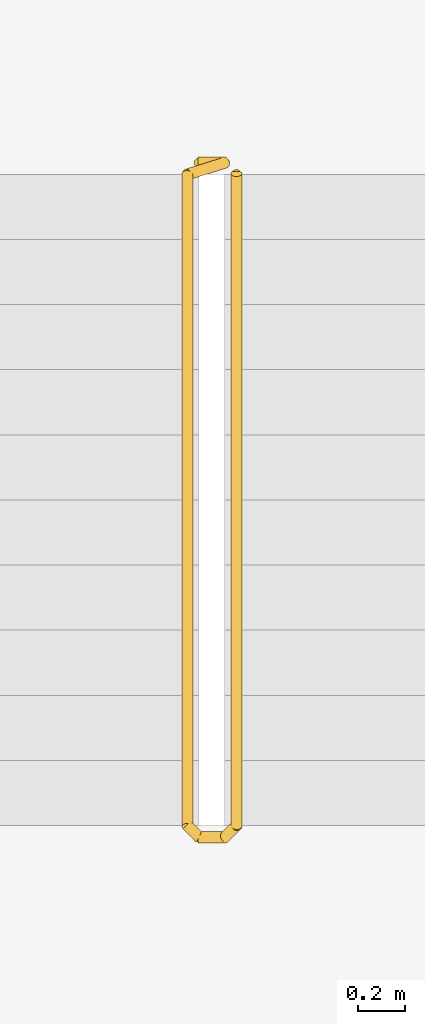
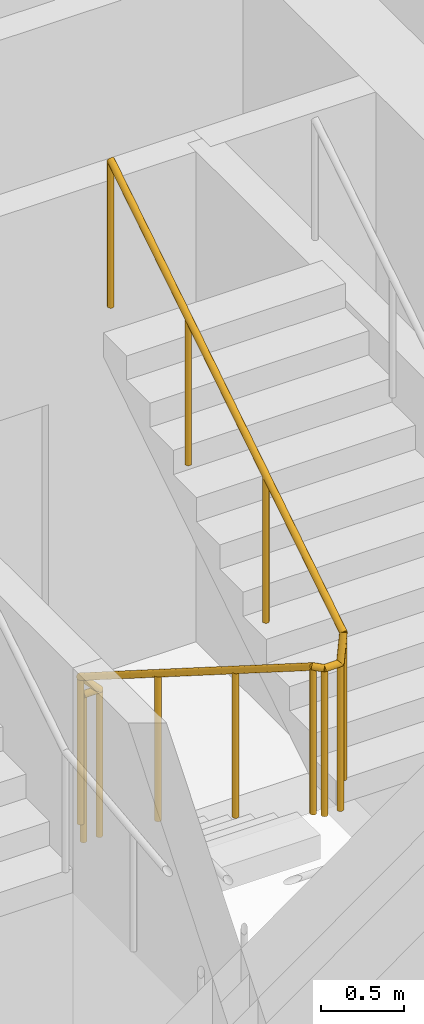
# One storey, part 14 of 14: 1 railing.
"""IFC4 building model written with IfcOpenShell, lengths in metres."""

import ifcopenshell
import ifcopenshell.guid

model = None  # the IFC model being written
_history = None  # IfcOwnerHistory: only IFC2X3 demands one
_inside = {}  # id of a spatial element -> (the spatial element, [elements in it])
_under = {}  # id of a project, library or spatial element -> (it, [spatial elements below it])
_declared = {}  # id of a project -> (the project, [libraries it declares])
_typed = {}  # id of a type object -> (the type object, [elements of that type])
_made_of = {}  # id of a material, layer set ... -> (it, [elements and type objects made of it])


def new_model(schema):
    """Start an empty IFC model of exactly this schema.

    Asked for "IFC4X3", IfcOpenShell would pick the latest addendum, in which some entities
    have other attributes; the version numbers below select the first issue.
    IFC2X3 requires an IfcOwnerHistory on every rooted entity: one is made here for all.
    """
    global model, _history
    if schema == "IFC4X3":
        model = ifcopenshell.file(schema_version=(4, 3, 0, 0))
    else:
        model = ifcopenshell.file(schema=schema)
    _inside.clear()
    _under.clear()
    _declared.clear()
    _typed.clear()
    _made_of.clear()
    _history = None
    if model.schema == "IFC2X3":
        org = make("IfcOrganization", Name="unknown")
        user = make(
            "IfcPersonAndOrganization",
            ThePerson=make("IfcPerson", FamilyName="unknown"),
            TheOrganization=org,
        )
        app = make(
            "IfcApplication",
            ApplicationDeveloper=org,
            Version="unknown",
            ApplicationFullName="unknown",
            ApplicationIdentifier="unknown",
        )
        _history = make(
            "IfcOwnerHistory",
            OwningUser=user,
            OwningApplication=app,
            ChangeAction="ADDED",
            CreationDate=0,
        )
    return model


def make(cls, **values):
    """One entity of the class cls with the attributes given. An attribute that is None is left unset."""
    return model.create_entity(
        cls, **{name: value for name, value in values.items() if value is not None}
    )


def rooted(cls, **values):
    """An entity with a GlobalId (a new one), such as an element, a storey or a relation."""
    return make(cls, GlobalId=ifcopenshell.guid.new(), OwnerHistory=_history, **values)


def si_unit(unit_type, name, prefix=None):
    """IfcSIUnit, for example si_unit("LENGTHUNIT", "METRE", prefix="MILLI")."""
    return make("IfcSIUnit", UnitType=unit_type, Prefix=prefix, Name=name)


def assignment(units):
    """IfcUnitAssignment: the units of a project."""
    return None if units is None else make("IfcUnitAssignment", Units=units)


def point(xyz):
    """IfcCartesianPoint."""
    return None if xyz is None else make("IfcCartesianPoint", Coordinates=xyz)


def direction(xyz):
    """IfcDirection."""
    return None if xyz is None else make("IfcDirection", DirectionRatios=xyz)


def frame(location, z_axis=None, x_axis=None):
    """IfcAxis2Placement3D, a coordinate frame: its origin and axes. An axis left out is left unset."""
    return make(
        "IfcAxis2Placement3D",
        Location=point(location),
        Axis=direction(z_axis),
        RefDirection=direction(x_axis),
    )


def frame_2d(location, x_axis=None):
    """IfcAxis2Placement2D, a coordinate frame in the plane: its origin and x axis."""
    return make(
        "IfcAxis2Placement2D", Location=point(location), RefDirection=direction(x_axis)
    )


def origin():
    """The frame at (0, 0, 0) with its axes left unset."""
    return frame((0.0, 0.0, 0.0))


def origin_2d():
    """The frame at (0, 0) in the plane with its x axis left unset."""
    return frame_2d((0.0, 0.0))


def place(relative_to, where):
    """IfcLocalPlacement: puts the frame where relative to a parent placement (None: the world)."""
    return make(
        "IfcLocalPlacement", PlacementRelTo=relative_to, RelativePlacement=where
    )


def context(
    kind, dimensions, precision=None, world=None, true_north=None, identifier=None
):
    """IfcGeometricRepresentationContext, for example the 3D "Model" context."""
    return make(
        "IfcGeometricRepresentationContext",
        ContextIdentifier=identifier,
        ContextType=kind,
        CoordinateSpaceDimension=dimensions,
        Precision=precision,
        WorldCoordinateSystem=world,
        TrueNorth=true_north,
    )


def subcontext(parent, identifier, kind, view, scale=None):
    """IfcGeometricRepresentationSubContext, for example "Body" below "Model"."""
    return make(
        "IfcGeometricRepresentationSubContext",
        ContextIdentifier=identifier,
        ContextType=kind,
        ParentContext=parent,
        TargetScale=scale,
        TargetView=view,
    )


def project(units=None, contexts=None):
    """IfcProject with its units and contexts."""
    return rooted(
        "IfcProject",
        Name="project",
        RepresentationContexts=contexts,
        UnitsInContext=assignment(units),
    )


def spatial(cls, under=None, at=None, **own):
    """A site, building, storey or space (cls), placed at a placement, below another one or the project."""
    s = rooted(cls, ObjectPlacement=at, **own)
    if under is not None:
        _under.setdefault(under.id(), (under, []))[1].append(s)
    return s


def profile(cls, at=None, kind="AREA", **sizes):
    """A parametric profile (cls). Its sizes go by their IFC names, for example OverallWidth=200.0."""
    return make(cls, ProfileType=kind, Position=at, **sizes)


def circle(**sizes):
    """IfcCircleProfileDef."""
    return profile("IfcCircleProfileDef", **sizes)


def extrude(swept, where, along, depth):
    """IfcExtrudedAreaSolid: the profile swept, set in the frame where, extruded along a direction by depth."""
    return make(
        "IfcExtrudedAreaSolid",
        SweptArea=swept,
        Position=where,
        ExtrudedDirection=direction(along),
        Depth=depth,
    )


def shape(context_of_items, identifier, shape_type, items):
    """IfcShapeRepresentation: the items that make up one representation, for example the "Body"."""
    return make(
        "IfcShapeRepresentation",
        ContextOfItems=context_of_items,
        RepresentationIdentifier=identifier,
        RepresentationType=shape_type,
        Items=items,
    )


def material(Name=None, Category=None):
    """IfcMaterial."""
    return make("IfcMaterial", Name=Name, Category=Category)


def made_of(thing, what):
    """Note that an element or type object is made of a material, layer set ...; save() writes the relation."""
    if what is not None:
        _made_of.setdefault(what.id(), (what, []))[1].append(thing)
    return thing


def type_object(cls, material=None, **own):
    """A type object (cls), such as IfcWallType, which elements share."""
    return made_of(rooted(cls, **own), material)


def element(
    cls,
    number,
    at=None,
    inside=None,
    cuts=None,
    type_object=None,
    material=None,
    context=None,
    identifier="Body",
    shape_type=None,
    held_by="IfcProductDefinitionShape",
    body=None,
    shapes=None,
    **own,
):
    """One element of the class cls, such as IfcWall. Its Tag is "e" and its number.

    at: its placement. inside: the storey or other place that contains it. cuts: it is an
    opening in that element (IfcRelVoidsElement). A single representation is given by context,
    identifier, shape_type and body (its items); several are given by shapes. held_by: the class
    of the entity that holds the representations. save() writes the other relations.
    """
    e = rooted(cls, Tag="e%d" % number, ObjectPlacement=at, **own)
    if body is not None:
        shapes = [shape(context, identifier, shape_type, body)]
    if shapes is not None:
        e.Representation = make(held_by, Representations=shapes)
    if inside is not None:
        _inside.setdefault(inside.id(), (inside, []))[1].append(e)
    if cuts is not None:
        rooted(
            "IfcRelVoidsElement", RelatingBuildingElement=cuts, RelatedOpeningElement=e
        )
    if type_object is not None:
        _typed.setdefault(type_object.id(), (type_object, []))[1].append(e)
    return made_of(e, material)


def aggregate(whole, parts):
    """IfcRelAggregates: a whole, such as a stair, and the parts it consists of."""
    return rooted("IfcRelAggregates", RelatingObject=whole, RelatedObjects=parts)


def save(model, path):
    """Write the relations noted so far, then the file.

    IfcRelAggregates (storeys below a building ...), IfcRelContainedInSpatialStructure (elements
    in a storey), IfcRelDefinesByType, IfcRelAssociatesMaterial and IfcRelDeclares: one each for
    every whole, place, type object, material and project.
    """
    for whole, parts in _under.values():
        aggregate(whole, parts)
    for where, things in _inside.values():
        rooted(
            "IfcRelContainedInSpatialStructure",
            RelatedElements=things,
            RelatingStructure=where,
        )
    for kind, things in _typed.values():
        rooted("IfcRelDefinesByType", RelatedObjects=things, RelatingType=kind)
    for what, things in _made_of.values():
        rooted("IfcRelAssociatesMaterial", RelatedObjects=things, RelatingMaterial=what)
    for by, libraries in _declared.values():
        rooted("IfcRelDeclares", RelatingContext=by, RelatedDefinitions=libraries)
    model.write(path)


model = new_model("IFC4")

# Units and contexts
model_context = context("Model", 3, precision=1e-05, world=origin(), true_north=direction((0.0, 1.0)))
body_context = subcontext(model_context, "Body", "Model", "MODEL_VIEW")
ifc_project = project(units=[si_unit("LENGTHUNIT", "METRE"), si_unit("AREAUNIT", "SQUARE_METRE"), si_unit("VOLUMEUNIT", "CUBIC_METRE"), si_unit("PLANEANGLEUNIT", "RADIAN"), si_unit("MASSUNIT", "GRAM", prefix="KILO")], contexts=[model_context])

# Site, building, storey
site_placement = place(None, origin())
site = spatial("IfcSite", under=ifc_project, at=site_placement, CompositionType="ELEMENT")
building_placement = place(site_placement, origin())
building = spatial("IfcBuilding", under=site, at=building_placement, Name="Tessera Arch", CompositionType="ELEMENT")
storey_placement = place(building_placement, frame((0.0, 0.0, 173.89990234375)))
storey = spatial("IfcBuildingStorey", under=building, at=storey_placement, Name="L41", CompositionType="ELEMENT", Elevation=173.89990234375)

# Railing
ifc_material = material(Name="Painted steel balustrade", Category="steel")
railing_type = type_object("IfcRailingType", Name="Stair guard 1100", PredefinedType="GUARDRAIL", material=ifc_material)
railing_placement = place(storey_placement, frame((44.919921875, 43.6298828125, 0.0)))
element("IfcRailing", 1, at=railing_placement, inside=storey, type_object=railing_type, Name="L41 S1c stair guard 1", PredefinedType="GUARDRAIL", context=body_context, shape_type="SweptSolid", body=[
    extrude(circle(Radius=0.02392578125, at=origin_2d()), frame((-0.00390625, 0.0, 1.076171875), z_axis=(1.0, 0.0, 0.0), x_axis=(0.0, 1.0, 0.0)), (0.0, 0.0, 1.0), 0.1181640625),
    extrude(circle(Radius=0.02392578125, at=origin_2d()), frame((0.11279296875, 0.000732421875, 1.0732421875), z_axis=(-0.655271994328, -0.204084712737, 0.727301892941), x_axis=(0.297361876254, -0.954764847777, 0.0)), (0.0, 0.0, 1.0), 0.251953125),
    extrude(circle(Radius=0.02392578125, at=origin_2d()), frame((-0.0498046875, -0.04638671875, 1.25146484375), z_axis=(0.0, -0.844908973607, 0.534910110503), x_axis=(1.0, 0.0, 0.0)), (0.0, 0.0, 1.0), 3.322021484375),
    extrude(circle(Radius=0.02392578125, at=origin_2d()), frame((-0.052734375, -2.846923828125, 3.0263671875), z_axis=(0.705375805398, -0.708833529934, 0.0), x_axis=(0.708833529934, 0.705375805398, 0.0)), (0.0, 0.0, 1.0), 0.07861328125),
    extrude(circle(Radius=0.02392578125, at=origin_2d()), frame((-0.00390625, -2.89990234375, 3.0263671875), z_axis=(1.0, 0.0, 0.0), x_axis=(0.0, 1.0, 0.0)), (0.0, 0.0, 1.0), 0.1181640625),
    extrude(circle(Radius=0.02392578125, at=origin_2d()), frame((0.109130859375, -2.90087890625, 3.0224609375), z_axis=(0.262233686654, 0.262233686654, 0.928691007369), x_axis=(-0.707106781187, 0.707106781187, 0.0)), (0.0, 0.0, 1.0), 0.198974609375),
    extrude(circle(Radius=0.02392578125, at=origin_2d()), frame((0.16015625, -2.853271484375, 3.201416015625), z_axis=(0.0, 0.844908973607, 0.534910110503), x_axis=(-1.0, 0.0, 0.0)), (0.0, 0.0, 1.0), 3.322021484375),
    extrude(circle(Radius=0.02099609375, at=origin_2d()), origin(), (0.0, 0.0, 1.0), 1.06396484375),
    extrude(circle(Radius=0.02099609375, at=origin_2d()), frame((0.110107421875, 0.0, 0.0)), (0.0, 0.0, 1.0), 1.06396484375),
    extrude(circle(Radius=0.02099609375, at=origin_2d()), frame((-0.0498046875, -0.0498046875, 0.177490234375)), (0.0, 0.0, 1.0), 1.06396484375),
    extrude(circle(Radius=0.02099609375, at=origin_2d()), frame((-0.0498046875, -0.983154296875, 0.768310546875)), (0.0, 0.0, 1.0), 1.06396484375),
    extrude(circle(Radius=0.02099609375, at=origin_2d()), frame((-0.0498046875, -1.91650390625, 1.359375)), (0.0, 0.0, 1.0), 1.06396484375),
    extrude(circle(Radius=0.02099609375, at=origin_2d()), frame((-0.0498046875, -2.849853515625, 1.9501953125)), (0.0, 0.0, 1.0), 1.06396484375),
    extrude(circle(Radius=0.02099609375, at=origin_2d()), frame((0.0, -2.89990234375, 1.9501953125)), (0.0, 0.0, 1.0), 1.06396484375),
    extrude(circle(Radius=0.02099609375, at=origin_2d()), frame((0.110107421875, -2.89990234375, 1.9501953125)), (0.0, 0.0, 1.0), 1.06396484375),
    extrude(circle(Radius=0.02099609375, at=origin_2d()), frame((0.16015625, -2.849853515625, 2.12744140625)), (0.0, 0.0, 1.0), 1.06396484375),
    extrude(circle(Radius=0.02099609375, at=origin_2d()), frame((0.16015625, -1.91650390625, 2.71826171875)), (0.0, 0.0, 1.0), 1.06396484375),
    extrude(circle(Radius=0.02099609375, at=origin_2d()), frame((0.16015625, -0.983154296875, 3.309326171875)), (0.0, 0.0, 1.0), 1.06396484375),
    extrude(circle(Radius=0.02099609375, at=origin_2d()), frame((0.16015625, -0.0498046875, 3.900146484375)), (0.0, 0.0, 1.0), 1.06396484375),
])

save(model, "model.ifc")
